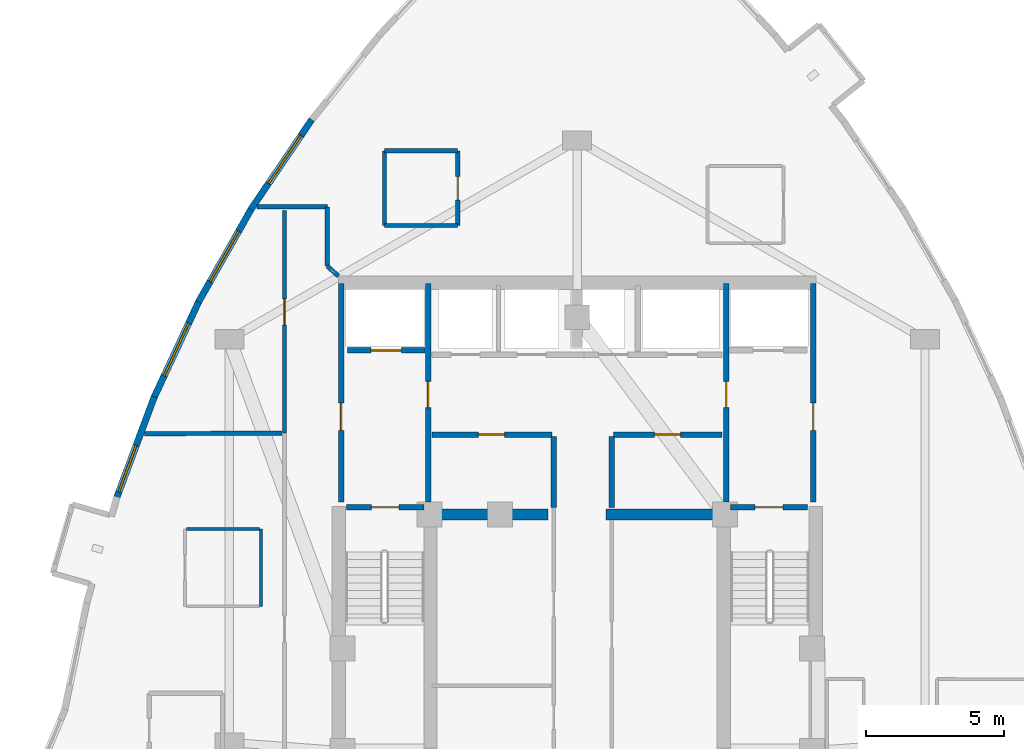
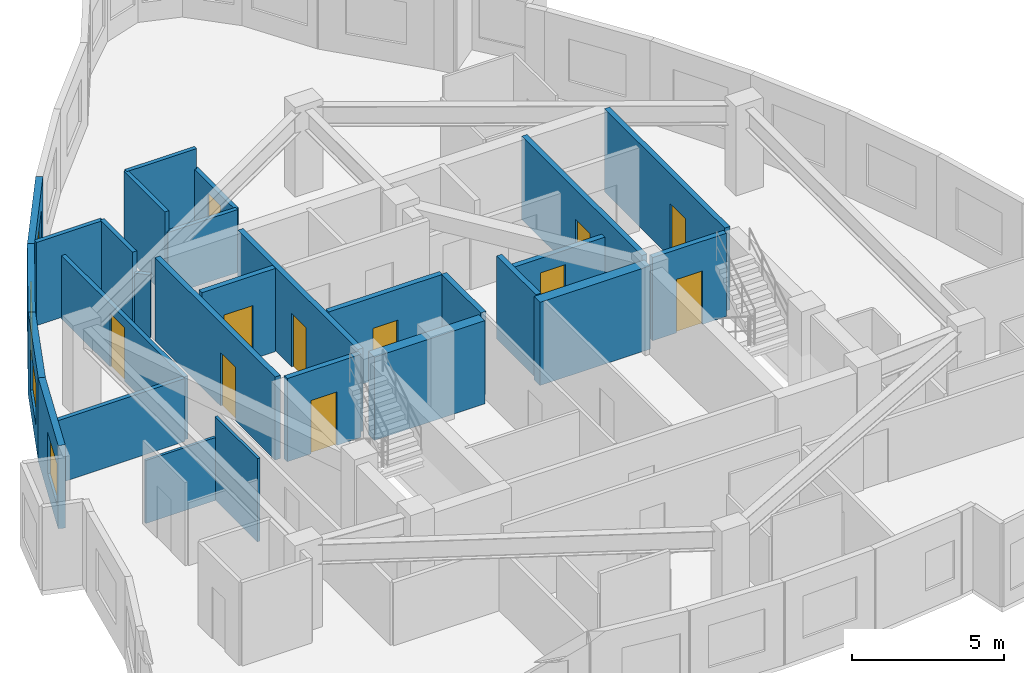
# One storey, part 5 of 8: 28 walls, 11 doors, 4 windows, 15 openings.
"""IFC4 building model written with IfcOpenShell, lengths in metres."""

from ifc_helpers import new_model, si_unit, direction, frame, frame_2d, origin, place, context, subcontext, project, spatial, rectangle, extrude, material, layer, layer_set, type_object, element, fill, save


model = new_model("IFC4")

# Units and contexts
model_context = context("Model", 3, precision=1e-05, world=origin(), true_north=direction((0.0, 1.0)))
body_context = subcontext(model_context, "Body", "Model", "MODEL_VIEW")
ifc_project = project(units=[si_unit("LENGTHUNIT", "METRE"), si_unit("AREAUNIT", "SQUARE_METRE"), si_unit("VOLUMEUNIT", "CUBIC_METRE"), si_unit("PLANEANGLEUNIT", "RADIAN"), si_unit("MASSUNIT", "GRAM", prefix="KILO")], contexts=[model_context])

# Site, building, storey
site_placement = place(None, origin())
site = spatial("IfcSite", under=ifc_project, at=site_placement, CompositionType="ELEMENT")
building_placement = place(site_placement, origin())
building = spatial("IfcBuilding", under=site, at=building_placement, Name="Miruveldt Soraemaru", CompositionType="ELEMENT")
storey_placement = place(building_placement, frame((0.0, 0.0, 208.800048828125)))
storey = spatial("IfcBuildingStorey", under=building, at=storey_placement, Name="L57", CompositionType="ELEMENT", Elevation=208.800048828125)

# Walls
ifc_material_1 = material(Name="Concrete C70/85 (70 MPa)", Category="concrete")
ifc_layer_1 = layer(ifc_material_1, 0.5, Name="Concrete C70/85 (70 MPa)", Category="concrete")
ifc_layer_set_1 = layer_set([ifc_layer_1], Name="Concrete C70/85 (70 MPa)")
wall_type_1 = type_object("IfcWallType", Name="WALL-BW-500", PredefinedType="SHEAR", material=ifc_layer_set_1)
for number, where, z_axis, x_axis, name in (
    (1, (38.75, 44.050048828125, 0.0), (0.0, 0.0, 1.0), (1.0, 0.0, 0.0), "L57 Core Buttress Shear Wall BW"),
    (2, (45.050048828125, 44.050048828125, 0.0), (0.0, 0.0, 1.0), (1.0, 0.0, 0.0), "L57 Core Buttress Shear Wall BE"),
):
    element("IfcWall", number, at=place(storey_placement, frame(where, z_axis=z_axis, x_axis=x_axis)), inside=storey, type_object=wall_type_1, Name=name, PredefinedType="SHEAR", context=body_context, shape_type="SweptSolid", body=[
        extrude(rectangle(XDim=4.199951171875, YDim=0.39990234375, at=frame_2d((2.10009765625, 0.0))), origin(), (0.0, 0.0, 1.0), 3.344970703125),
    ])

# Wall, opening, window
ifc_material_2 = material(Name="Precast concrete C45/55 (45 MPa)", Category="concrete")
ifc_layer_2 = layer(ifc_material_2, 0.239990234375, Name="Precast concrete C45/55 (45 MPa)", Category="concrete")
ifc_layer_set_2 = layer_set([ifc_layer_2], Name="Precast concrete C45/55 (45 MPa)")
wall_type_2 = type_object("IfcWallType", Name="WALL-EXT-PC240", PredefinedType="SOLIDWALL", material=ifc_layer_set_2)
wall_1_placement = place(storey_placement, frame((34.385009765625, 58.360107421875, 0.0), z_axis=(0.0, 0.0, 1.0), x_axis=(-0.560813923728, -0.827941871723, 0.0)))
wall_1 = element("IfcWall", 3, at=wall_1_placement, inside=storey, type_object=wall_type_2, Name="L57 Precast Concrete Facade Wall 9", PredefinedType="SOLIDWALL", context=body_context, shape_type="SweptSolid", body=[
    extrude(rectangle(XDim=3.943603515625, YDim=0.239990234375, at=frame_2d((1.9716796875, 0.0))), origin(), (0.0, 0.0, 1.0), 3.344970703125),
])
opening_1_placement = place(wall_1_placement, frame((0.693115234375, 0.0, 0.800048828125)))
opening_1 = element("IfcOpeningElement", 4, at=opening_1_placement, cuts=wall_1, Name="Opening WN-1", PredefinedType="OPENING", context=body_context, shape_type="SweptSolid", body=[
    extrude(rectangle(XDim=2.10009765625, YDim=1.699951171875, at=frame_2d((1.050048828125, 0.85009765625))), frame((0.0, 0.1298828125, 0.0), z_axis=(0.0, -1.0, 0.0), x_axis=(1.0, 0.0, 0.0)), (0.0, 0.0, 1.0), 0.260009765625),
])
ifc_material_3 = material(Name="Triple low-e insulated glazing", Category="glass")
window_type_1 = type_object("IfcWindowType", Name="WIN-PUNCH-2100x1700", PartitioningType="SINGLE_PANEL", PredefinedType="WINDOW", material=ifc_material_3)
window_1_placement = place(opening_1_placement, origin())
window_1 = element("IfcWindow", 5, at=window_1_placement, inside=storey, type_object=window_type_1, Name="L57 Punched Triple-Glazed Window 09.1", OverallHeight=1.699951171875, OverallWidth=2.10009765625, PartitioningType="SINGLE_PANEL", PredefinedType="WINDOW", context=body_context, shape_type="SweptSolid", body=[
    extrude(rectangle(XDim=2.10009765625, YDim=1.699951171875, at=frame_2d((1.050048828125, 0.85009765625))), frame((0.0, 0.030029296875, 0.0), z_axis=(0.0, -1.0, 0.0), x_axis=(1.0, 0.0, 0.0)), (0.0, 0.0, 1.0), 0.06005859375),
])
fill(opening_1, window_1)

wall_2_placement = place(storey_placement, frame((32.210205078125, 55.154296875, 0.0), z_axis=(0.0, 0.0, 1.0), x_axis=(-0.493399199777, -0.869802983243, 0.0)))
wall_2 = element("IfcWall", 6, at=wall_2_placement, inside=storey, type_object=wall_type_2, Name="L57 Precast Concrete Facade Wall 10", PredefinedType="SOLIDWALL", context=body_context, shape_type="SweptSolid", body=[
    extrude(rectangle(XDim=3.9189453125, YDim=0.239990234375, at=frame_2d((1.95947265625, 0.0))), origin(), (0.0, 0.0, 1.0), 3.344970703125),
])
opening_2_placement = place(wall_2_placement, frame((0.9609375, 0.0, 0.800048828125)))
opening_2 = element("IfcOpeningElement", 7, at=opening_2_placement, cuts=wall_2, Name="Opening WN-1", PredefinedType="OPENING", context=body_context, shape_type="SweptSolid", body=[
    extrude(rectangle(XDim=2.10009765625, YDim=1.699951171875, at=frame_2d((1.050048828125, 0.85009765625))), frame((0.0, 0.1298828125, 0.0), z_axis=(0.0, -1.0, 0.0), x_axis=(1.0, 0.0, 0.0)), (0.0, 0.0, 1.0), 0.260009765625),
])
window_2_placement = place(opening_2_placement, origin())
window_2 = element("IfcWindow", 8, at=window_2_placement, inside=storey, type_object=window_type_1, Name="L57 Punched Triple-Glazed Window 10.1", OverallHeight=1.699951171875, OverallWidth=2.10009765625, PartitioningType="SINGLE_PANEL", PredefinedType="WINDOW", context=body_context, shape_type="SweptSolid", body=[
    extrude(rectangle(XDim=2.10009765625, YDim=1.699951171875, at=frame_2d((1.050048828125, 0.85009765625))), frame((0.0, 0.030029296875, 0.0), z_axis=(0.0, -1.0, 0.0), x_axis=(1.0, 0.0, 0.0)), (0.0, 0.0, 1.0), 0.06005859375),
])
fill(opening_2, window_2)

wall_3_placement = place(storey_placement, frame((30.30859375, 51.8076171875, 0.0), z_axis=(0.0, 0.0, 1.0), x_axis=(-0.422274956888, -0.906467793573, 0.0)))
wall_3 = element("IfcWall", 9, at=wall_3_placement, inside=storey, type_object=wall_type_2, Name="L57 Precast Concrete Facade Wall 11", PredefinedType="SOLIDWALL", context=body_context, shape_type="SweptSolid", body=[
    extrude(rectangle(XDim=3.91943359375, YDim=0.239990234375, at=frame_2d((1.959716796875, 0.0))), origin(), (0.0, 0.0, 1.0), 3.344970703125),
])
opening_3_placement = place(wall_3_placement, frame((0.908935546875, 0.0, 0.800048828125)))
opening_3 = element("IfcOpeningElement", 10, at=opening_3_placement, cuts=wall_3, Name="Opening WN-1", PredefinedType="OPENING", context=body_context, shape_type="SweptSolid", body=[
    extrude(rectangle(XDim=2.10009765625, YDim=1.699951171875, at=frame_2d((1.050048828125, 0.85009765625))), frame((0.0, 0.1298828125, 0.0), z_axis=(0.0, -1.0, 0.0), x_axis=(1.0, 0.0, 0.0)), (0.0, 0.0, 1.0), 0.260009765625),
])
window_3_placement = place(opening_3_placement, origin())
window_3 = element("IfcWindow", 11, at=window_3_placement, inside=storey, type_object=window_type_1, Name="L57 Punched Triple-Glazed Window 11.1", OverallHeight=1.699951171875, OverallWidth=2.10009765625, PartitioningType="SINGLE_PANEL", PredefinedType="WINDOW", context=body_context, shape_type="SweptSolid", body=[
    extrude(rectangle(XDim=2.10009765625, YDim=1.699951171875, at=frame_2d((1.050048828125, 0.85009765625))), frame((0.0, 0.030029296875, 0.0), z_axis=(0.0, -1.0, 0.0), x_axis=(1.0, 0.0, 0.0)), (0.0, 0.0, 1.0), 0.06005859375),
])
fill(opening_3, window_3)

wall_4_placement = place(storey_placement, frame((28.6806640625, 48.319580078125, 0.0), z_axis=(0.0, 0.0, 1.0), x_axis=(-0.349019487368, -0.937115466438, 0.0)))
wall_4 = element("IfcWall", 12, at=wall_4_placement, inside=storey, type_object=wall_type_2, Name="L57 Precast Concrete Facade Wall 12", PredefinedType="SOLIDWALL", context=body_context, shape_type="SweptSolid", body=[
    extrude(rectangle(XDim=3.94384765625, YDim=0.239990234375, at=frame_2d((1.971923828125, 0.0))), origin(), (0.0, 0.0, 1.0), 3.344970703125),
])
opening_4_placement = place(wall_4_placement, frame((1.8798828125, 0.0, 0.800048828125)))
opening_4 = element("IfcOpeningElement", 13, at=opening_4_placement, cuts=wall_4, Name="Opening WN-2", PredefinedType="OPENING", context=body_context, shape_type="SweptSolid", body=[
    extrude(rectangle(XDim=1.800048828125, YDim=1.64990234375, at=frame_2d((0.89990234375, 0.824951171875))), frame((0.0, 0.1298828125, 0.0), z_axis=(0.0, -1.0, 0.0), x_axis=(1.0, 0.0, 0.0)), (0.0, 0.0, 1.0), 0.260009765625),
])
window_type_2 = type_object("IfcWindowType", Name="WIN-PUNCH-1800x1650", PartitioningType="SINGLE_PANEL", PredefinedType="WINDOW", material=ifc_material_3)
window_4_placement = place(opening_4_placement, origin())
window_4 = element("IfcWindow", 14, at=window_4_placement, inside=storey, type_object=window_type_2, Name="L57 Punched Triple-Glazed Window 12.1", OverallHeight=1.64990234375, OverallWidth=1.800048828125, PartitioningType="SINGLE_PANEL", PredefinedType="WINDOW", context=body_context, shape_type="SweptSolid", body=[
    extrude(rectangle(XDim=1.800048828125, YDim=1.64990234375, at=frame_2d((0.89990234375, 0.824951171875))), frame((0.0, 0.030029296875, 0.0), z_axis=(0.0, -1.0, 0.0), x_axis=(1.0, 0.0, 0.0)), (0.0, 0.0, 1.0), 0.06005859375),
])
fill(opening_4, window_4)

# Walls
ifc_material_4 = material(Name="Gypsum plasterboard lining", Category="gypsum")
ifc_layer_3 = layer(ifc_material_4, 0.10009765625, Name="Gypsum plasterboard lining", Category="gypsum")
ifc_layer_set_3 = layer_set([ifc_layer_3], Name="Gypsum plasterboard lining")
wall_type_3 = type_object("IfcWallType", Name="WALL-INT-P100", PredefinedType="PARTITIONING", material=ifc_layer_set_3)
wall_5_placement = place(storey_placement, frame((32.548095703125, 40.72998046875, 0.0), z_axis=(0.0, 0.0, 1.0), x_axis=(0.0, 1.0, 0.0)))
element("IfcWall", 15, at=wall_5_placement, inside=storey, type_object=wall_type_3, Name="L57 Partition Wall 23", PredefinedType="PARTITIONING", context=body_context, shape_type="SweptSolid", body=[
    extrude(rectangle(XDim=2.800048828125, YDim=0.10009765625, at=frame_2d((1.39990234375, 0.0))), origin(), (0.0, 0.0, 1.0), 3.344970703125),
])
wall_6_placement = place(storey_placement, frame((32.498046875, 43.530029296875, 0.0), z_axis=(0.0, 0.0, 1.0), x_axis=(-1.0, 0.0, 0.0)))
element("IfcWall", 16, at=wall_6_placement, inside=storey, type_object=wall_type_3, Name="L57 Partition Wall 24", PredefinedType="PARTITIONING", context=body_context, shape_type="SweptSolid", body=[
    extrude(rectangle(XDim=2.650146484375, YDim=0.10009765625, at=frame_2d((1.3251953125, 0.0))), origin(), (0.0, 0.0, 1.0), 2.532958984375),
])

# Wall, opening, door
ifc_layer_4 = layer(ifc_material_4, 0.14990234375, Name="Gypsum plasterboard lining", Category="gypsum")
ifc_layer_set_4 = layer_set([ifc_layer_4], Name="Gypsum plasterboard lining")
wall_type_4 = type_object("IfcWallType", Name="WALL-INT-PLUMB", PredefinedType="PLUMBINGWALL", material=ifc_layer_set_4)
wall_7_placement = place(storey_placement, frame((39.672119140625, 54.530029296875, 0.0), z_axis=(0.0, 0.0, 1.0), x_axis=(0.0, 1.0, 0.0)))
wall_7 = element("IfcWall", 17, at=wall_7_placement, inside=storey, type_object=wall_type_4, Name="L57 Partition Wall 10", PredefinedType="PLUMBINGWALL", context=body_context, shape_type="SweptSolid", body=[
    extrude(rectangle(XDim=2.699951171875, YDim=0.14990234375, at=frame_2d((1.35009765625, 0.0))), origin(), (0.0, 0.0, 1.0), 2.532958984375),
])
opening_5_placement = place(wall_7_placement, frame((0.909912109375, 0.0, 0.0)))
opening_5 = element("IfcOpeningElement", 18, at=opening_5_placement, cuts=wall_7, Name="Opening FD3", PredefinedType="OPENING", context=body_context, shape_type="SweptSolid", body=[
    extrude(rectangle(XDim=0.85009765625, YDim=2.10009765625, at=frame_2d((0.425048828125, 1.050048828125))), frame((0.0, 0.0849609375, 0.0), z_axis=(0.0, -1.0, 0.0), x_axis=(1.0, 0.0, 0.0)), (0.0, 0.0, 1.0), 0.169921875),
])
ifc_material_5 = material(Name="Anodised aluminium EN AW-6063 T6", Category="aluminium")
door_type_1 = type_object("IfcDoorType", Name="DOOR-FD3-850", OperationType="NOTDEFINED", PredefinedType="DOOR", material=ifc_material_5)
door_1_placement = place(opening_5_placement, origin())
door_1 = element("IfcDoor", 19, at=door_1_placement, inside=storey, type_object=door_type_1, Name="L57 Unit CL01 BTH Door", OperationType="SINGLE_SWING_LEFT", OverallHeight=2.10009765625, OverallWidth=0.85009765625, PredefinedType="DOOR", context=body_context, shape_type="SweptSolid", body=[
    extrude(rectangle(XDim=0.85009765625, YDim=2.10009765625, at=frame_2d((0.425048828125, 1.050048828125))), frame((0.0, 0.02490234375, 0.0), z_axis=(0.0, -1.0, 0.0), x_axis=(1.0, 0.0, 0.0)), (0.0, 0.0, 1.0), 0.050048828125),
])
fill(opening_5, door_1)

# Walls
wall_8_placement = place(storey_placement, frame((37.02197265625, 57.22998046875, 0.0), z_axis=(0.0, 0.0, 1.0), x_axis=(0.0, -1.0, 0.0)))
element("IfcWall", 20, at=wall_8_placement, inside=storey, type_object=wall_type_4, Name="L57 Partition Wall 12", PredefinedType="PLUMBINGWALL", context=body_context, shape_type="SweptSolid", body=[
    extrude(rectangle(XDim=2.699951171875, YDim=0.14990234375, at=frame_2d((1.35009765625, 0.0))), origin(), (0.0, 0.0, 1.0), 3.344970703125),
])
wall_9_placement = place(storey_placement, frame((39.672119140625, 57.22998046875, 0.0), z_axis=(0.0, 0.0, 1.0), x_axis=(-1.0, 0.0, 0.0)))
element("IfcWall", 21, at=wall_9_placement, inside=storey, type_object=wall_type_4, Name="L57 Partition Wall 11", PredefinedType="PLUMBINGWALL", context=body_context, shape_type="SweptSolid", body=[
    extrude(rectangle(XDim=2.650146484375, YDim=0.14990234375, at=frame_2d((1.3251953125, 0.0))), origin(), (0.0, 0.0, 1.0), 3.344970703125),
])
wall_10_placement = place(storey_placement, frame((37.02197265625, 54.530029296875, 0.0), z_axis=(0.0, 0.0, 1.0), x_axis=(1.0, 0.0, 0.0)))
element("IfcWall", 22, at=wall_10_placement, inside=storey, type_object=wall_type_4, Name="L57 Partition Wall 13", PredefinedType="PLUMBINGWALL", context=body_context, shape_type="SweptSolid", body=[
    extrude(rectangle(XDim=2.650146484375, YDim=0.14990234375, at=frame_2d((1.3251953125, 0.0))), origin(), (0.0, 0.0, 1.0), 2.532958984375),
])

# Wall, opening, door
ifc_material_6 = material(Name="Concrete C40/50 (40 MPa)", Category="concrete")
ifc_layer_5 = layer(ifc_material_6, 0.159912109375, Name="Concrete C40/50 (40 MPa)", Category="concrete")
ifc_layer_set_5 = layer_set([ifc_layer_5], Name="Concrete C40/50 (40 MPa)")
wall_type_5 = type_object("IfcWallType", Name="WALL-INT-RC160", PredefinedType="SOLIDWALL", material=ifc_layer_set_5)
wall_11_placement = place(storey_placement, frame((33.39990234375, 55.06005859375, 0.0), z_axis=(0.0, 0.0, 1.0), x_axis=(0.0, -1.0, 0.0)))
wall_11 = element("IfcWall", 23, at=wall_11_placement, inside=storey, type_object=wall_type_5, Name="L57 Partition Wall 3", PredefinedType="SOLIDWALL", context=body_context, shape_type="SweptSolid", body=[
    extrude(rectangle(XDim=8.05712890625, YDim=0.159912109375, at=frame_2d((4.028564453125, 0.0))), origin(), (0.0, 0.0, 1.0), 2.532958984375),
])
opening_6_placement = place(wall_11_placement, frame((3.194091796875, 0.0, 0.0)))
opening_6 = element("IfcOpeningElement", 24, at=opening_6_placement, cuts=wall_11, Name="Opening FD2", PredefinedType="OPENING", context=body_context, shape_type="SweptSolid", body=[
    extrude(rectangle(XDim=0.949951171875, YDim=2.14990234375, at=frame_2d((0.47509765625, 1.074951171875))), frame((0.0, 0.08984375, 0.0), z_axis=(0.0, -1.0, 0.0), x_axis=(1.0, 0.0, 0.0)), (0.0, 0.0, 1.0), 0.179931640625),
])
door_type_2 = type_object("IfcDoorType", Name="DOOR-FD2-950", OperationType="NOTDEFINED", PredefinedType="DOOR", material=ifc_material_5)
door_2_placement = place(opening_6_placement, origin())
door_2 = element("IfcDoor", 25, at=door_2_placement, inside=storey, type_object=door_type_2, Name="L57 Unit CL01 Entrance Fire Door", OperationType="SINGLE_SWING_RIGHT", OverallHeight=2.14990234375, OverallWidth=0.949951171875, PredefinedType="DOOR", context=body_context, shape_type="SweptSolid", body=[
    extrude(rectangle(XDim=0.949951171875, YDim=2.14990234375, at=frame_2d((0.47509765625, 1.074951171875))), frame((0.0, 0.02490234375, 0.0), z_axis=(0.0, -1.0, 0.0), x_axis=(1.0, 0.0, 0.0)), (0.0, 0.0, 1.0), 0.050048828125),
])
fill(opening_6, door_2)

# Walls
wall_12_placement = place(storey_placement, frame((28.326904296875, 46.98291015625, 0.0), z_axis=(0.0, 0.0, 1.0), x_axis=(0.999994130745, 0.003426146011, 0.0)))
element("IfcWall", 26, at=wall_12_placement, inside=storey, type_object=wall_type_5, Name="L57 Partition Wall 18", PredefinedType="SOLIDWALL", context=body_context, shape_type="SweptSolid", body=[
    extrude(rectangle(XDim=4.988037109375, YDim=0.159912109375, at=frame_2d((2.494140625, 0.0))), origin(), (0.0, 0.0, 1.0), 2.532958984375),
])
wall_13_placement = place(storey_placement, frame((34.949951171875, 55.199951171875, 0.0), z_axis=(0.0, 0.0, 1.0), x_axis=(-1.0, 0.0, 0.0)))
element("IfcWall", 27, at=wall_13_placement, inside=storey, type_object=wall_type_5, Name="L57 Partition Wall 2", PredefinedType="SOLIDWALL", context=body_context, shape_type="SweptSolid", body=[
    extrude(rectangle(XDim=2.5419921875, YDim=0.159912109375, at=frame_2d((1.27099609375, 0.0))), origin(), (0.0, 0.0, 1.0), 3.344970703125),
])
wall_14_placement = place(storey_placement, frame((34.949951171875, 53.052978515625, 0.0), z_axis=(0.0, 0.0, 1.0), x_axis=(0.0, 1.0, 0.0)))
element("IfcWall", 28, at=wall_14_placement, inside=storey, type_object=wall_type_5, Name="L57 Partition Wall 1", PredefinedType="SOLIDWALL", context=body_context, shape_type="SweptSolid", body=[
    extrude(rectangle(XDim=2.14697265625, YDim=0.159912109375, at=frame_2d((1.073486328125, 0.0))), origin(), (0.0, 0.0, 1.0), 3.344970703125),
])
wall_15_placement = place(storey_placement, frame((34.949951171875, 53.052978515625, 0.0), z_axis=(0.0, 0.0, 1.0), x_axis=(0.740614438713, -0.671930244274, 0.0)))
element("IfcWall", 29, at=wall_15_placement, inside=storey, type_object=wall_type_5, Name="L57 Partition Closure Return 1", PredefinedType="SOLIDWALL", context=body_context, shape_type="SweptSolid", body=[
    extrude(rectangle(XDim=0.540283203125, YDim=0.159912109375, at=frame_2d((0.27001953125, 0.0))), origin(), (0.0, 0.0, 1.0), 2.532958984375),
])

# Wall, opening, door
ifc_layer_6 = layer(ifc_material_6, 0.199951171875, Name="Concrete C40/50 (40 MPa)", Category="concrete")
ifc_layer_set_6 = layer_set([ifc_layer_6], Name="Concrete C40/50 (40 MPa)")
wall_type_6 = type_object("IfcWallType", Name="WALL-INT-RC200", PredefinedType="SOLIDWALL", material=ifc_layer_set_6)
wall_16_placement = place(storey_placement, frame((35.449951171875, 44.5, 0.0), z_axis=(0.0, 0.0, 1.0), x_axis=(0.0, 1.0, 0.0)))
wall_16 = element("IfcWall", 30, at=wall_16_placement, inside=storey, type_object=wall_type_6, Name="L57 Core Compartment Wall FFW-OUT", PredefinedType="SOLIDWALL", context=body_context, shape_type="SweptSolid", body=[
    extrude(rectangle(XDim=7.919921875, YDim=0.199951171875, at=frame_2d((3.9599609375, 0.0))), origin(), (0.0, 0.0, 1.0), 3.344970703125),
])
opening_7_placement = place(wall_16_placement, frame((2.60009765625, 0.0, 0.0)))
opening_7 = element("IfcOpeningElement", 31, at=opening_7_placement, cuts=wall_16, Name="Opening FD1", PredefinedType="OPENING", context=body_context, shape_type="SweptSolid", body=[
    extrude(rectangle(XDim=1.0, YDim=2.14990234375, at=frame_2d((0.5, 1.074951171875))), frame((0.0, 0.10986328125, 0.0), z_axis=(0.0, -1.0, 0.0), x_axis=(1.0, 0.0, 0.0)), (0.0, 0.0, 1.0), 0.219970703125),
])
door_type_3 = type_object("IfcDoorType", Name="DOOR-FD1-1000", OperationType="NOTDEFINED", PredefinedType="DOOR", material=ifc_material_5)
door_3_placement = place(opening_7_placement, origin())
door_3 = element("IfcDoor", 32, at=door_3_placement, inside=storey, type_object=door_type_3, Name="L57 West Firefighting Lobby Exit Door", OperationType="SINGLE_SWING_LEFT", OverallHeight=2.14990234375, OverallWidth=1.0, PredefinedType="DOOR", context=body_context, shape_type="SweptSolid", body=[
    extrude(rectangle(XDim=1.0, YDim=2.14990234375, at=frame_2d((0.5, 1.074951171875))), frame((0.0, 0.02490234375, 0.0), z_axis=(0.0, -1.0, 0.0), x_axis=(1.0, 0.0, 0.0)), (0.0, 0.0, 1.0), 0.050048828125),
])
fill(opening_7, door_3)

wall_17_placement = place(storey_placement, frame((52.550048828125, 44.5, 0.0), z_axis=(0.0, 0.0, 1.0), x_axis=(0.0, 1.0, 0.0)))
wall_17 = element("IfcWall", 33, at=wall_17_placement, inside=storey, type_object=wall_type_6, Name="L57 Core Compartment Wall FFE-OUT", PredefinedType="SOLIDWALL", context=body_context, shape_type="SweptSolid", body=[
    extrude(rectangle(XDim=7.919921875, YDim=0.199951171875, at=frame_2d((3.9599609375, 0.0))), origin(), (0.0, 0.0, 1.0), 3.344970703125),
])
opening_8_placement = place(wall_17_placement, frame((2.60009765625, 0.0, 0.0)))
opening_8 = element("IfcOpeningElement", 34, at=opening_8_placement, cuts=wall_17, Name="Opening FD1", PredefinedType="OPENING", context=body_context, shape_type="SweptSolid", body=[
    extrude(rectangle(XDim=1.0, YDim=2.14990234375, at=frame_2d((0.5, 1.074951171875))), frame((0.0, 0.10986328125, 0.0), z_axis=(0.0, -1.0, 0.0), x_axis=(1.0, 0.0, 0.0)), (0.0, 0.0, 1.0), 0.219970703125),
])
door_4_placement = place(opening_8_placement, frame((1.0, 0.0, 0.0), z_axis=(0.0, 0.0, 1.0), x_axis=(-1.0, 0.0, 0.0)))
door_4 = element("IfcDoor", 35, at=door_4_placement, inside=storey, type_object=door_type_3, Name="L57 East Firefighting Lobby Exit Door", OperationType="SINGLE_SWING_RIGHT", OverallHeight=2.14990234375, OverallWidth=1.0, PredefinedType="DOOR", context=body_context, shape_type="SweptSolid", body=[
    extrude(rectangle(XDim=1.0, YDim=2.14990234375, at=frame_2d((0.5, 1.074951171875))), frame((0.0, 0.02490234375, 0.0), z_axis=(0.0, -1.0, 0.0), x_axis=(1.0, 0.0, 0.0)), (0.0, 0.0, 1.0), 0.050048828125),
])
fill(opening_8, door_4)

wall_18_placement = place(storey_placement, frame((38.60009765625, 44.5, 0.0), z_axis=(0.0, 0.0, 1.0), x_axis=(0.0, 1.0, 0.0)))
wall_18 = element("IfcWall", 36, at=wall_18_placement, inside=storey, type_object=wall_type_6, Name="L57 Core Compartment Wall FFW-IN", PredefinedType="SOLIDWALL", context=body_context, shape_type="SweptSolid", body=[
    extrude(rectangle(XDim=7.919921875, YDim=0.199951171875, at=frame_2d((3.9599609375, 0.0))), origin(), (0.0, 0.0, 1.0), 3.344970703125),
])
opening_9_placement = place(wall_18_placement, frame((3.425048828125, 0.0, 0.0)))
opening_9 = element("IfcOpeningElement", 37, at=opening_9_placement, cuts=wall_18, Name="Opening FD2", PredefinedType="OPENING", context=body_context, shape_type="SweptSolid", body=[
    extrude(rectangle(XDim=0.949951171875, YDim=2.14990234375, at=frame_2d((0.47509765625, 1.074951171875))), frame((0.0, 0.10986328125, 0.0), z_axis=(0.0, -1.0, 0.0), x_axis=(1.0, 0.0, 0.0)), (0.0, 0.0, 1.0), 0.219970703125),
])
door_5_placement = place(opening_9_placement, frame((0.949951171875, 0.0, 0.0), z_axis=(0.0, 0.0, 1.0), x_axis=(-1.0, 0.0, 0.0)))
door_5 = element("IfcDoor", 38, at=door_5_placement, inside=storey, type_object=door_type_2, Name="L57 Lift Lobby to West Fire Lobby Door", OperationType="SINGLE_SWING_RIGHT", OverallHeight=2.14990234375, OverallWidth=0.949951171875, PredefinedType="DOOR", context=body_context, shape_type="SweptSolid", body=[
    extrude(rectangle(XDim=0.949951171875, YDim=2.14990234375, at=frame_2d((0.47509765625, 1.074951171875))), frame((0.0, 0.02490234375, 0.0), z_axis=(0.0, -1.0, 0.0), x_axis=(1.0, 0.0, 0.0)), (0.0, 0.0, 1.0), 0.050048828125),
])
fill(opening_9, door_5)

wall_19_placement = place(storey_placement, frame((49.39990234375, 44.5, 0.0), z_axis=(0.0, 0.0, 1.0), x_axis=(0.0, 1.0, 0.0)))
wall_19 = element("IfcWall", 39, at=wall_19_placement, inside=storey, type_object=wall_type_6, Name="L57 Core Compartment Wall FFE-IN", PredefinedType="SOLIDWALL", context=body_context, shape_type="SweptSolid", body=[
    extrude(rectangle(XDim=7.919921875, YDim=0.199951171875, at=frame_2d((3.9599609375, 0.0))), origin(), (0.0, 0.0, 1.0), 3.344970703125),
])
opening_10_placement = place(wall_19_placement, frame((3.425048828125, 0.0, 0.0)))
opening_10 = element("IfcOpeningElement", 40, at=opening_10_placement, cuts=wall_19, Name="Opening FD2", PredefinedType="OPENING", context=body_context, shape_type="SweptSolid", body=[
    extrude(rectangle(XDim=0.949951171875, YDim=2.14990234375, at=frame_2d((0.47509765625, 1.074951171875))), frame((0.0, 0.10986328125, 0.0), z_axis=(0.0, -1.0, 0.0), x_axis=(1.0, 0.0, 0.0)), (0.0, 0.0, 1.0), 0.219970703125),
])
door_6_placement = place(opening_10_placement, origin())
door_6 = element("IfcDoor", 41, at=door_6_placement, inside=storey, type_object=door_type_2, Name="L57 Lift Lobby to East Fire Lobby Door", OperationType="SINGLE_SWING_LEFT", OverallHeight=2.14990234375, OverallWidth=0.949951171875, PredefinedType="DOOR", context=body_context, shape_type="SweptSolid", body=[
    extrude(rectangle(XDim=0.949951171875, YDim=2.14990234375, at=frame_2d((0.47509765625, 1.074951171875))), frame((0.0, 0.02490234375, 0.0), z_axis=(0.0, -1.0, 0.0), x_axis=(1.0, 0.0, 0.0)), (0.0, 0.0, 1.0), 0.050048828125),
])
fill(opening_10, door_6)

wall_20_placement = place(storey_placement, frame((38.75, 46.949951171875, 0.0), z_axis=(0.0, 0.0, 1.0), x_axis=(1.0, 0.0, 0.0)))
wall_20 = element("IfcWall", 42, at=wall_20_placement, inside=storey, type_object=wall_type_6, Name="L57 Core Compartment Wall MBW-N", PredefinedType="SOLIDWALL", context=body_context, shape_type="SweptSolid", body=[
    extrude(rectangle(XDim=4.330078125, YDim=0.199951171875, at=frame_2d((2.1650390625, 0.0))), origin(), (0.0, 0.0, 1.0), 3.344970703125),
])
opening_11_placement = place(wall_20_placement, frame((1.675048828125, 0.0, 0.0)))
opening_11 = element("IfcOpeningElement", 43, at=opening_11_placement, cuts=wall_20, Name="Opening D2", PredefinedType="OPENING", context=body_context, shape_type="SweptSolid", body=[
    extrude(rectangle(XDim=0.949951171875, YDim=2.10009765625, at=frame_2d((0.47509765625, 1.050048828125))), frame((0.0, 0.10986328125, 0.0), z_axis=(0.0, -1.0, 0.0), x_axis=(1.0, 0.0, 0.0)), (0.0, 0.0, 1.0), 0.219970703125),
])
door_type_4 = type_object("IfcDoorType", Name="DOOR-INT-950", OperationType="NOTDEFINED", PredefinedType="DOOR", material=ifc_material_5)
door_7_placement = place(opening_11_placement, origin())
door_7 = element("IfcDoor", 44, at=door_7_placement, inside=storey, type_object=door_type_4, Name="L57 Fire Door", OperationType="SINGLE_SWING_LEFT", OverallHeight=2.10009765625, OverallWidth=0.949951171875, PredefinedType="DOOR", context=body_context, shape_type="SweptSolid", body=[
    extrude(rectangle(XDim=0.949951171875, YDim=2.10009765625, at=frame_2d((0.47509765625, 1.050048828125))), frame((0.0, 0.02490234375, 0.0), z_axis=(0.0, -1.0, 0.0), x_axis=(1.0, 0.0, 0.0)), (0.0, 0.0, 1.0), 0.050048828125),
])
fill(opening_11, door_7)

wall_21_placement = place(storey_placement, frame((45.320068359375, 46.949951171875, 0.0), z_axis=(0.0, 0.0, 1.0), x_axis=(1.0, 0.0, 0.0)))
wall_21 = element("IfcWall", 45, at=wall_21_placement, inside=storey, type_object=wall_type_6, Name="L57 Core Compartment Wall MBE-N", PredefinedType="SOLIDWALL", context=body_context, shape_type="SweptSolid", body=[
    extrude(rectangle(XDim=3.929931640625, YDim=0.199951171875, at=frame_2d((1.96484375, 0.0))), origin(), (0.0, 0.0, 1.0), 2.682861328125),
])
opening_12_placement = place(wall_21_placement, frame((1.47509765625, 0.0, 0.0)))
opening_12 = element("IfcOpeningElement", 46, at=opening_12_placement, cuts=wall_21, Name="Opening D2", PredefinedType="OPENING", context=body_context, shape_type="SweptSolid", body=[
    extrude(rectangle(XDim=0.949951171875, YDim=2.10009765625, at=frame_2d((0.47509765625, 1.050048828125))), frame((0.0, 0.10986328125, 0.0), z_axis=(0.0, -1.0, 0.0), x_axis=(1.0, 0.0, 0.0)), (0.0, 0.0, 1.0), 0.219970703125),
])
door_8_placement = place(opening_12_placement, origin())
door_8 = element("IfcDoor", 47, at=door_8_placement, inside=storey, type_object=door_type_4, Name="L57 Fire Door", OperationType="SINGLE_SWING_LEFT", OverallHeight=2.10009765625, OverallWidth=0.949951171875, PredefinedType="DOOR", context=body_context, shape_type="SweptSolid", body=[
    extrude(rectangle(XDim=0.949951171875, YDim=2.10009765625, at=frame_2d((0.47509765625, 1.050048828125))), frame((0.0, 0.02490234375, 0.0), z_axis=(0.0, -1.0, 0.0), x_axis=(1.0, 0.0, 0.0)), (0.0, 0.0, 1.0), 0.050048828125),
])
fill(opening_12, door_8)

wall_22_placement = place(storey_placement, frame((35.64990234375, 44.320068359375, 0.0), z_axis=(0.0, 0.0, 1.0), x_axis=(1.0, 0.0, 0.0)))
wall_22 = element("IfcWall", 48, at=wall_22_placement, inside=storey, type_object=wall_type_6, Name="L57 Core Compartment Wall ST1-N", PredefinedType="SOLIDWALL", context=body_context, shape_type="SweptSolid", body=[
    extrude(rectangle(XDim=2.800048828125, YDim=0.199951171875, at=frame_2d((1.39990234375, 0.0))), origin(), (0.0, 0.0, 1.0), 3.344970703125),
])
opening_13_placement = place(wall_22_placement, frame((0.89990234375, 0.0, 0.0)))
opening_13 = element("IfcOpeningElement", 49, at=opening_13_placement, cuts=wall_22, Name="Opening FD1", PredefinedType="OPENING", context=body_context, shape_type="SweptSolid", body=[
    extrude(rectangle(XDim=1.0, YDim=2.14990234375, at=frame_2d((0.5, 1.074951171875))), frame((0.0, 0.10986328125, 0.0), z_axis=(0.0, -1.0, 0.0), x_axis=(1.0, 0.0, 0.0)), (0.0, 0.0, 1.0), 0.219970703125),
])
door_9_placement = place(opening_13_placement, frame((1.0, 0.0, 0.0), z_axis=(0.0, 0.0, 1.0), x_axis=(-1.0, 0.0, 0.0)))
door_9 = element("IfcDoor", 50, at=door_9_placement, inside=storey, type_object=door_type_3, Name="L57 Stair ST-1 Fire Door", OperationType="SINGLE_SWING_LEFT", OverallHeight=2.14990234375, OverallWidth=1.0, PredefinedType="DOOR", context=body_context, shape_type="SweptSolid", body=[
    extrude(rectangle(XDim=1.0, YDim=2.14990234375, at=frame_2d((0.5, 1.074951171875))), frame((0.0, 0.02490234375, 0.0), z_axis=(0.0, -1.0, 0.0), x_axis=(1.0, 0.0, 0.0)), (0.0, 0.0, 1.0), 0.050048828125),
])
fill(opening_13, door_9)

wall_23_placement = place(storey_placement, frame((49.550048828125, 44.320068359375, 0.0), z_axis=(0.0, 0.0, 1.0), x_axis=(1.0, 0.0, 0.0)))
wall_23 = element("IfcWall", 51, at=wall_23_placement, inside=storey, type_object=wall_type_6, Name="L57 Core Compartment Wall ST2-N", PredefinedType="SOLIDWALL", context=body_context, shape_type="SweptSolid", body=[
    extrude(rectangle(XDim=2.800048828125, YDim=0.199951171875, at=frame_2d((1.39990234375, 0.0))), origin(), (0.0, 0.0, 1.0), 3.344970703125),
])
opening_14_placement = place(wall_23_placement, frame((0.89990234375, 0.0, 0.0)))
opening_14 = element("IfcOpeningElement", 52, at=opening_14_placement, cuts=wall_23, Name="Opening FD1", PredefinedType="OPENING", context=body_context, shape_type="SweptSolid", body=[
    extrude(rectangle(XDim=1.0, YDim=2.14990234375, at=frame_2d((0.5, 1.074951171875))), frame((0.0, 0.10986328125, 0.0), z_axis=(0.0, -1.0, 0.0), x_axis=(1.0, 0.0, 0.0)), (0.0, 0.0, 1.0), 0.219970703125),
])
door_10_placement = place(opening_14_placement, frame((1.0, 0.0, 0.0), z_axis=(0.0, 0.0, 1.0), x_axis=(-1.0, 0.0, 0.0)))
door_10 = element("IfcDoor", 53, at=door_10_placement, inside=storey, type_object=door_type_3, Name="L57 Stair ST-2 Fire Door", OperationType="SINGLE_SWING_RIGHT", OverallHeight=2.14990234375, OverallWidth=1.0, PredefinedType="DOOR", context=body_context, shape_type="SweptSolid", body=[
    extrude(rectangle(XDim=1.0, YDim=2.14990234375, at=frame_2d((0.5, 1.074951171875))), frame((0.0, 0.02490234375, 0.0), z_axis=(0.0, -1.0, 0.0), x_axis=(1.0, 0.0, 0.0)), (0.0, 0.0, 1.0), 0.050048828125),
])
fill(opening_14, door_10)

wall_24_placement = place(storey_placement, frame((35.679931640625, 50.0, 0.0), z_axis=(0.0, 0.0, 1.0), x_axis=(1.0, 0.0, 0.0)))
wall_24 = element("IfcWall", 54, at=wall_24_placement, inside=storey, type_object=wall_type_6, Name="L57 Core Compartment Wall FFL1-S", PredefinedType="SOLIDWALL", context=body_context, shape_type="SweptSolid", body=[
    extrude(rectangle(XDim=2.800048828125, YDim=0.199951171875, at=frame_2d((1.39990234375, 0.0))), origin(), (0.0, 0.0, 1.0), 3.344970703125),
])
opening_15_placement = place(wall_24_placement, frame((0.85009765625, 0.0, 0.0)))
opening_15 = element("IfcOpeningElement", 55, at=opening_15_placement, cuts=wall_24, Name="Opening LD2", PredefinedType="OPENING", context=body_context, shape_type="SweptSolid", body=[
    extrude(rectangle(XDim=1.10009765625, YDim=2.14990234375, at=frame_2d((0.550048828125, 1.074951171875))), frame((0.0, 0.10986328125, 0.0), z_axis=(0.0, -1.0, 0.0), x_axis=(1.0, 0.0, 0.0)), (0.0, 0.0, 1.0), 0.219970703125),
])
door_type_5 = type_object("IfcDoorType", Name="DOOR-LD2-1100", OperationType="SLIDING_TO_LEFT", PredefinedType="DOOR", material=ifc_material_5)
door_11_placement = place(opening_15_placement, origin())
door_11 = element("IfcDoor", 56, at=door_11_placement, inside=storey, type_object=door_type_5, Name="L57 FFL-1 Landing Door", OperationType="SLIDING_TO_LEFT", OverallHeight=2.14990234375, OverallWidth=1.10009765625, PredefinedType="DOOR", context=body_context, shape_type="SweptSolid", body=[
    extrude(rectangle(XDim=1.10009765625, YDim=2.14990234375, at=frame_2d((0.550048828125, 1.074951171875))), frame((0.0, 0.02490234375, 0.0), z_axis=(0.0, -1.0, 0.0), x_axis=(1.0, 0.0, 0.0)), (0.0, 0.0, 1.0), 0.050048828125),
])
fill(opening_15, door_11)

# Walls
for number, where, z_axis, x_axis, name in (
    (57, (43.14990234375, 44.300048828125, 0.0), (0.0, 0.0, 1.0), (0.0, 1.0, 0.0), "L57 Core Compartment Wall SP-WB"),
    (58, (45.25, 44.300048828125, 0.0), (0.0, 0.0, 1.0), (0.0, 1.0, 0.0), "L57 Core Compartment Wall SP-EB"),
):
    element("IfcWall", number, at=place(storey_placement, frame(where, z_axis=z_axis, x_axis=x_axis)), inside=storey, type_object=wall_type_6, Name=name, PredefinedType="SOLIDWALL", context=body_context, shape_type="SweptSolid", body=[
        extrude(rectangle(XDim=2.579833984375, YDim=0.199951171875, at=frame_2d((1.2900390625, 0.0))), origin(), (0.0, 0.0, 1.0), 3.344970703125),
    ])

save(model, "model.ifc")
